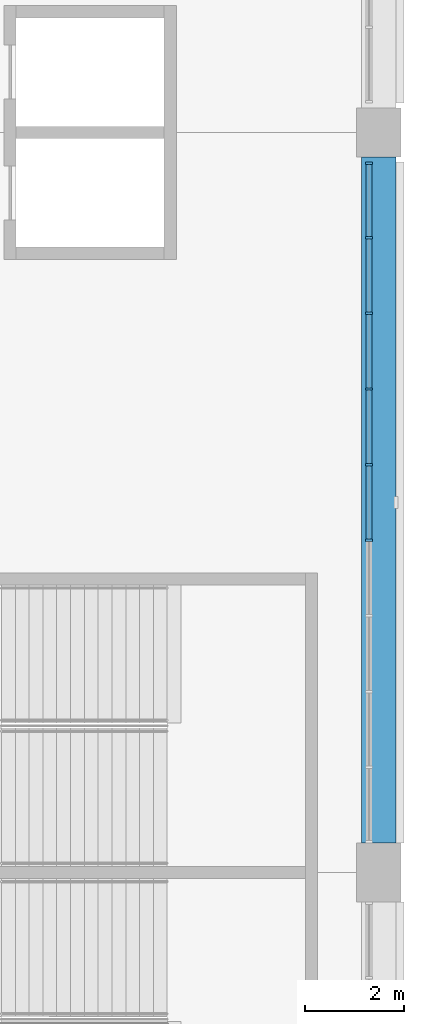
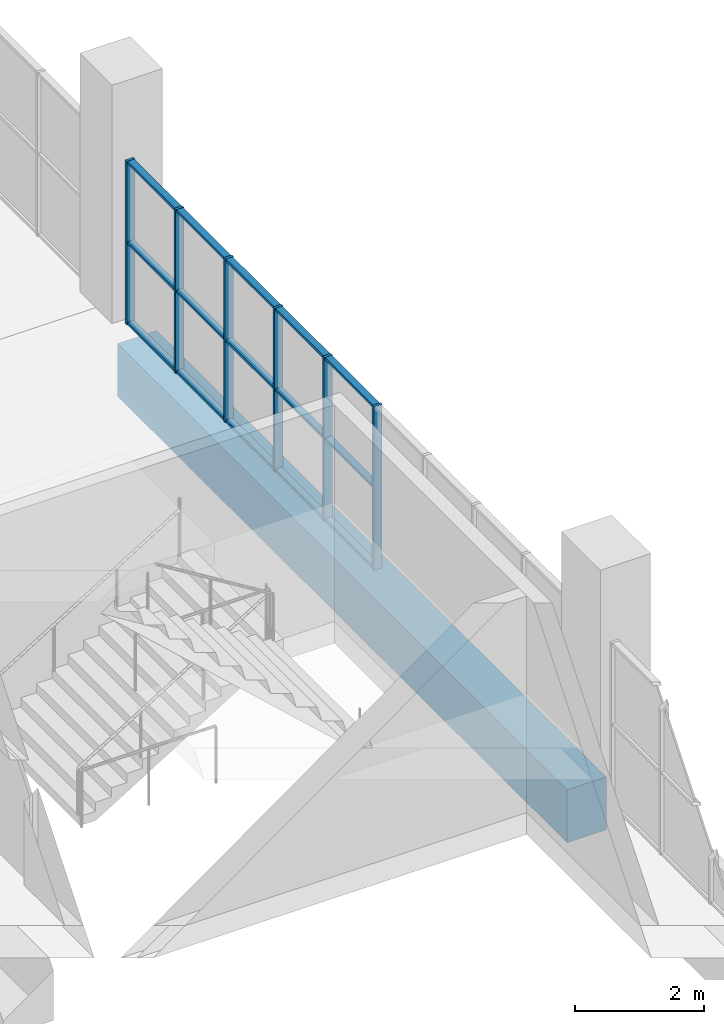
# One storey, part 30 of 199: 21 members, 1 beam, 1 element without a shape of its own.
"""IFC4 building model written with IfcOpenShell, lengths in metres."""

from ifc_helpers import new_model, si_unit, direction, frame, origin, origin_2d, place, context, subcontext, project, spatial, rectangle, extrude, material, material_profile, profile_set, type_object, element, aggregate, save


model = new_model("IFC4")

# Units and contexts
model_context = context("Model", 3, precision=1e-05, world=origin(), true_north=direction((0.0, 1.0)))
body_context = subcontext(model_context, "Body", "Model", "MODEL_VIEW")
ifc_project = project(units=[si_unit("LENGTHUNIT", "METRE"), si_unit("AREAUNIT", "SQUARE_METRE"), si_unit("VOLUMEUNIT", "CUBIC_METRE"), si_unit("PLANEANGLEUNIT", "RADIAN"), si_unit("MASSUNIT", "GRAM", prefix="KILO")], contexts=[model_context])

# Site, building, storey
site_placement = place(None, origin())
site = spatial("IfcSite", under=ifc_project, at=site_placement, CompositionType="ELEMENT")
building_placement = place(site_placement, origin())
building = spatial("IfcBuilding", under=site, at=building_placement, Name="Ogive Plaza Stadium", CompositionType="ELEMENT")
storey_placement = place(building_placement, frame((0.0, 0.0, 9.0)))
storey = spatial("IfcBuildingStorey", under=building, at=storey_placement, Name="L02", CompositionType="ELEMENT", Elevation=9.0)

# Curtain wall, members
ifc_material_1 = material(Name="Bronze-anodised aluminium with laminated glass", Category="aluminium")
curtain_wall_type = type_object("IfcCurtainWallType", Name="Lancet curtain wall", PredefinedType="NOTDEFINED", material=ifc_material_1)
curtain_wall_placement = place(storey_placement, origin())
curtain_wall = element("IfcCurtainWall", 1, at=curtain_wall_placement, inside=storey, type_object=curtain_wall_type, Name="CURTAIN WALL B05 L02", PredefinedType="NOTDEFINED")
ifc_material_2 = material(Name="Bronze-anodised aluminium", Category="aluminium")
ifc_material_profile_1 = material_profile(ifc_material_2, rectangle(XDim=0.14990234375, YDim=0.050048828125, at=origin_2d()), Name="AL 150x50")
ifc_profile_set_1 = profile_set([ifc_material_profile_1], Name="Bronze-anodised aluminium")
member_type_1 = type_object("IfcMemberType", Name="Curtain wall mullion 50x150", PredefinedType="MULLION", material=ifc_profile_set_1)
member_1_placement = place(storey_placement, frame((83.800048828125, -8.125, 0.0), z_axis=(0.0, 0.0, 1.0), x_axis=(1.0, 0.0, 0.0)))
member_1 = element("IfcMember", 2, at=member_1_placement, type_object=member_type_1, Name="CW-B05-L02 mullion 1", PredefinedType="MULLION", context=body_context, shape_type="SweptSolid", body=[
    extrude(rectangle(XDim=0.14990234375, YDim=0.050048828125, at=origin_2d()), origin(), (0.0, 0.0, 1.0), 3.090087890625),
])
member_2_placement = place(storey_placement, frame((83.800048828125, -9.63330078125, 0.0), z_axis=(0.0, 0.0, 1.0), x_axis=(1.0, 0.0, 0.0)))
member_2 = element("IfcMember", 3, at=member_2_placement, type_object=member_type_1, Name="CW-B05-L02 mullion 2", PredefinedType="MULLION", context=body_context, shape_type="SweptSolid", body=[
    extrude(rectangle(XDim=0.14990234375, YDim=0.050048828125, at=origin_2d()), origin(), (0.0, 0.0, 1.0), 3.090087890625),
])
member_3_placement = place(storey_placement, frame((83.800048828125, -11.166748046875, 0.0), z_axis=(0.0, 0.0, 1.0), x_axis=(1.0, 0.0, 0.0)))
member_3 = element("IfcMember", 4, at=member_3_placement, type_object=member_type_1, Name="CW-B05-L02 mullion 3", PredefinedType="MULLION", context=body_context, shape_type="SweptSolid", body=[
    extrude(rectangle(XDim=0.14990234375, YDim=0.050048828125, at=origin_2d()), origin(), (0.0, 0.0, 1.0), 3.090087890625),
])
member_4_placement = place(storey_placement, frame((83.800048828125, -12.699951171875, 0.0), z_axis=(0.0, 0.0, 1.0), x_axis=(1.0, 0.0, 0.0)))
member_4 = element("IfcMember", 5, at=member_4_placement, type_object=member_type_1, Name="CW-B05-L02 mullion 4", PredefinedType="MULLION", context=body_context, shape_type="SweptSolid", body=[
    extrude(rectangle(XDim=0.14990234375, YDim=0.050048828125, at=origin_2d()), origin(), (0.0, 0.0, 1.0), 3.090087890625),
])
member_5_placement = place(storey_placement, frame((83.800048828125, -14.2333984375, 0.0), z_axis=(0.0, 0.0, 1.0), x_axis=(1.0, 0.0, 0.0)))
member_5 = element("IfcMember", 6, at=member_5_placement, type_object=member_type_1, Name="CW-B05-L02 mullion 5", PredefinedType="MULLION", context=body_context, shape_type="SweptSolid", body=[
    extrude(rectangle(XDim=0.14990234375, YDim=0.050048828125, at=origin_2d()), origin(), (0.0, 0.0, 1.0), 3.090087890625),
])
member_6_placement = place(storey_placement, frame((83.800048828125, -15.7666015625, 0.0), z_axis=(0.0, 0.0, 1.0), x_axis=(1.0, 0.0, 0.0)))
member_6 = element("IfcMember", 7, at=member_6_placement, type_object=member_type_1, Name="CW-B05-L02 mullion 6", PredefinedType="MULLION", context=body_context, shape_type="SweptSolid", body=[
    extrude(rectangle(XDim=0.14990234375, YDim=0.050048828125, at=origin_2d()), origin(), (0.0, 0.0, 1.0), 3.090087890625),
])
ifc_material_3 = material(Name="Bronze-anodised aluminium", Category="aluminium")
ifc_material_profile_2 = material_profile(ifc_material_3, rectangle(XDim=0.1201171875, YDim=0.050048828125, at=origin_2d()), Name="AL 120x50")
ifc_profile_set_2 = profile_set([ifc_material_profile_2], Name="Bronze-anodised aluminium")
member_type_2 = type_object("IfcMemberType", Name="Curtain wall transom 50x120", PredefinedType="USERDEFINED", material=ifc_profile_set_2)
member_7_placement = place(storey_placement, frame((83.800048828125, -8.14990234375, 0.02490234375), z_axis=(0.0, -1.0, 0.0), x_axis=(1.0, 0.0, 0.0)))
member_7 = element("IfcMember", 8, at=member_7_placement, type_object=member_type_2, Name="CW-B05-L02 transom 1.1", ObjectType="TRANSOM", PredefinedType="USERDEFINED", context=body_context, shape_type="SweptSolid", body=[
    extrude(rectangle(XDim=0.1201171875, YDim=0.050048828125, at=origin_2d()), origin(), (0.0, 0.0, 1.0), 1.45849609375),
])
member_8_placement = place(storey_placement, frame((83.800048828125, -8.14990234375, 1.544921875), z_axis=(0.0, -1.0, 0.0), x_axis=(1.0, 0.0, 0.0)))
member_8 = element("IfcMember", 9, at=member_8_placement, type_object=member_type_2, Name="CW-B05-L02 transom 1.2", ObjectType="TRANSOM", PredefinedType="USERDEFINED", context=body_context, shape_type="SweptSolid", body=[
    extrude(rectangle(XDim=0.1201171875, YDim=0.050048828125, at=origin_2d()), origin(), (0.0, 0.0, 1.0), 1.45849609375),
])
member_9_placement = place(storey_placement, frame((83.800048828125, -8.14990234375, 3.06494140625), z_axis=(0.0, -1.0, 0.0), x_axis=(1.0, 0.0, 0.0)))
member_9 = element("IfcMember", 10, at=member_9_placement, type_object=member_type_2, Name="CW-B05-L02 transom 1.3", ObjectType="TRANSOM", PredefinedType="USERDEFINED", context=body_context, shape_type="SweptSolid", body=[
    extrude(rectangle(XDim=0.1201171875, YDim=0.050048828125, at=origin_2d()), origin(), (0.0, 0.0, 1.0), 1.45849609375),
])
member_10_placement = place(storey_placement, frame((83.800048828125, -9.658447265625, 0.02490234375), z_axis=(0.0, -1.0, 0.0), x_axis=(1.0, 0.0, 0.0)))
member_10 = element("IfcMember", 11, at=member_10_placement, type_object=member_type_2, Name="CW-B05-L02 transom 2.1", ObjectType="TRANSOM", PredefinedType="USERDEFINED", context=body_context, shape_type="SweptSolid", body=[
    extrude(rectangle(XDim=0.1201171875, YDim=0.050048828125, at=origin_2d()), origin(), (0.0, 0.0, 1.0), 1.483154296875),
])
member_11_placement = place(storey_placement, frame((83.800048828125, -9.658447265625, 1.544921875), z_axis=(0.0, -1.0, 0.0), x_axis=(1.0, 0.0, 0.0)))
member_11 = element("IfcMember", 12, at=member_11_placement, type_object=member_type_2, Name="CW-B05-L02 transom 2.2", ObjectType="TRANSOM", PredefinedType="USERDEFINED", context=body_context, shape_type="SweptSolid", body=[
    extrude(rectangle(XDim=0.1201171875, YDim=0.050048828125, at=origin_2d()), origin(), (0.0, 0.0, 1.0), 1.483154296875),
])
member_12_placement = place(storey_placement, frame((83.800048828125, -9.658447265625, 3.06494140625), z_axis=(0.0, -1.0, 0.0), x_axis=(1.0, 0.0, 0.0)))
member_12 = element("IfcMember", 13, at=member_12_placement, type_object=member_type_2, Name="CW-B05-L02 transom 2.3", ObjectType="TRANSOM", PredefinedType="USERDEFINED", context=body_context, shape_type="SweptSolid", body=[
    extrude(rectangle(XDim=0.1201171875, YDim=0.050048828125, at=origin_2d()), origin(), (0.0, 0.0, 1.0), 1.483154296875),
])
member_13_placement = place(storey_placement, frame((83.800048828125, -11.191650390625, 0.02490234375), z_axis=(0.0, -1.0, 0.0), x_axis=(1.0, 0.0, 0.0)))
member_13 = element("IfcMember", 14, at=member_13_placement, type_object=member_type_2, Name="CW-B05-L02 transom 3.1", ObjectType="TRANSOM", PredefinedType="USERDEFINED", context=body_context, shape_type="SweptSolid", body=[
    extrude(rectangle(XDim=0.1201171875, YDim=0.050048828125, at=origin_2d()), origin(), (0.0, 0.0, 1.0), 1.4833984375),
])
member_14_placement = place(storey_placement, frame((83.800048828125, -11.191650390625, 1.544921875), z_axis=(0.0, -1.0, 0.0), x_axis=(1.0, 0.0, 0.0)))
member_14 = element("IfcMember", 15, at=member_14_placement, type_object=member_type_2, Name="CW-B05-L02 transom 3.2", ObjectType="TRANSOM", PredefinedType="USERDEFINED", context=body_context, shape_type="SweptSolid", body=[
    extrude(rectangle(XDim=0.1201171875, YDim=0.050048828125, at=origin_2d()), origin(), (0.0, 0.0, 1.0), 1.4833984375),
])
member_15_placement = place(storey_placement, frame((83.800048828125, -11.191650390625, 3.06494140625), z_axis=(0.0, -1.0, 0.0), x_axis=(1.0, 0.0, 0.0)))
member_15 = element("IfcMember", 16, at=member_15_placement, type_object=member_type_2, Name="CW-B05-L02 transom 3.3", ObjectType="TRANSOM", PredefinedType="USERDEFINED", context=body_context, shape_type="SweptSolid", body=[
    extrude(rectangle(XDim=0.1201171875, YDim=0.050048828125, at=origin_2d()), origin(), (0.0, 0.0, 1.0), 1.4833984375),
])
member_16_placement = place(storey_placement, frame((83.800048828125, -12.72509765625, 0.02490234375), z_axis=(0.0, -1.0, 0.0), x_axis=(1.0, 0.0, 0.0)))
member_16 = element("IfcMember", 17, at=member_16_placement, type_object=member_type_2, Name="CW-B05-L02 transom 4.1", ObjectType="TRANSOM", PredefinedType="USERDEFINED", context=body_context, shape_type="SweptSolid", body=[
    extrude(rectangle(XDim=0.1201171875, YDim=0.050048828125, at=origin_2d()), origin(), (0.0, 0.0, 1.0), 1.483154296875),
])
member_17_placement = place(storey_placement, frame((83.800048828125, -12.72509765625, 1.544921875), z_axis=(0.0, -1.0, 0.0), x_axis=(1.0, 0.0, 0.0)))
member_17 = element("IfcMember", 18, at=member_17_placement, type_object=member_type_2, Name="CW-B05-L02 transom 4.2", ObjectType="TRANSOM", PredefinedType="USERDEFINED", context=body_context, shape_type="SweptSolid", body=[
    extrude(rectangle(XDim=0.1201171875, YDim=0.050048828125, at=origin_2d()), origin(), (0.0, 0.0, 1.0), 1.483154296875),
])
member_18_placement = place(storey_placement, frame((83.800048828125, -12.72509765625, 3.06494140625), z_axis=(0.0, -1.0, 0.0), x_axis=(1.0, 0.0, 0.0)))
member_18 = element("IfcMember", 19, at=member_18_placement, type_object=member_type_2, Name="CW-B05-L02 transom 4.3", ObjectType="TRANSOM", PredefinedType="USERDEFINED", context=body_context, shape_type="SweptSolid", body=[
    extrude(rectangle(XDim=0.1201171875, YDim=0.050048828125, at=origin_2d()), origin(), (0.0, 0.0, 1.0), 1.483154296875),
])
member_19_placement = place(storey_placement, frame((83.800048828125, -14.25830078125, 0.02490234375), z_axis=(0.0, -1.0, 0.0), x_axis=(1.0, 0.0, 0.0)))
member_19 = element("IfcMember", 20, at=member_19_placement, type_object=member_type_2, Name="CW-B05-L02 transom 5.1", ObjectType="TRANSOM", PredefinedType="USERDEFINED", context=body_context, shape_type="SweptSolid", body=[
    extrude(rectangle(XDim=0.1201171875, YDim=0.050048828125, at=origin_2d()), origin(), (0.0, 0.0, 1.0), 1.4833984375),
])
member_20_placement = place(storey_placement, frame((83.800048828125, -14.25830078125, 1.544921875), z_axis=(0.0, -1.0, 0.0), x_axis=(1.0, 0.0, 0.0)))
member_20 = element("IfcMember", 21, at=member_20_placement, type_object=member_type_2, Name="CW-B05-L02 transom 5.2", ObjectType="TRANSOM", PredefinedType="USERDEFINED", context=body_context, shape_type="SweptSolid", body=[
    extrude(rectangle(XDim=0.1201171875, YDim=0.050048828125, at=origin_2d()), origin(), (0.0, 0.0, 1.0), 1.4833984375),
])
member_21_placement = place(storey_placement, frame((83.800048828125, -14.25830078125, 3.06494140625), z_axis=(0.0, -1.0, 0.0), x_axis=(1.0, 0.0, 0.0)))
member_21 = element("IfcMember", 22, at=member_21_placement, type_object=member_type_2, Name="CW-B05-L02 transom 5.3", ObjectType="TRANSOM", PredefinedType="USERDEFINED", context=body_context, shape_type="SweptSolid", body=[
    extrude(rectangle(XDim=0.1201171875, YDim=0.050048828125, at=origin_2d()), origin(), (0.0, 0.0, 1.0), 1.4833984375),
])
aggregate(curtain_wall, [member_1, member_2, member_3, member_4, member_5, member_6, member_7, member_8, member_9, member_10, member_11, member_12, member_13, member_14, member_15, member_16, member_17, member_18, member_19, member_20, member_21])

# Beam
ifc_material_4 = material(Name="Concrete C40/50", Category="concrete")
ifc_material_profile_3 = material_profile(ifc_material_4, rectangle(XDim=0.699951171875, YDim=1.0, at=origin_2d()), Name="RC 700x1000")
ifc_profile_set_3 = profile_set([ifc_material_profile_3], Name="Concrete C40/50")
beam_type = type_object("IfcBeamType", Name="RC spandrel beam 700x1000", PredefinedType="SPANDREL", material=ifc_profile_set_3)
beam_placement = place(storey_placement, frame((84.0, -8.0, -0.909912109375), z_axis=(0.0, -1.0, 0.0), x_axis=(1.0, 0.0, 0.0)))
element("IfcBeam", 23, at=beam_placement, inside=storey, type_object=beam_type, Name="Ring beam F5 L02 B05", PredefinedType="SPANDREL", context=body_context, shape_type="SweptSolid", body=[
    extrude(rectangle(XDim=0.699951171875, YDim=1.0, at=origin_2d()), origin(), (0.0, 0.0, 1.0), 13.89990234375),
])

save(model, "model.ifc")
